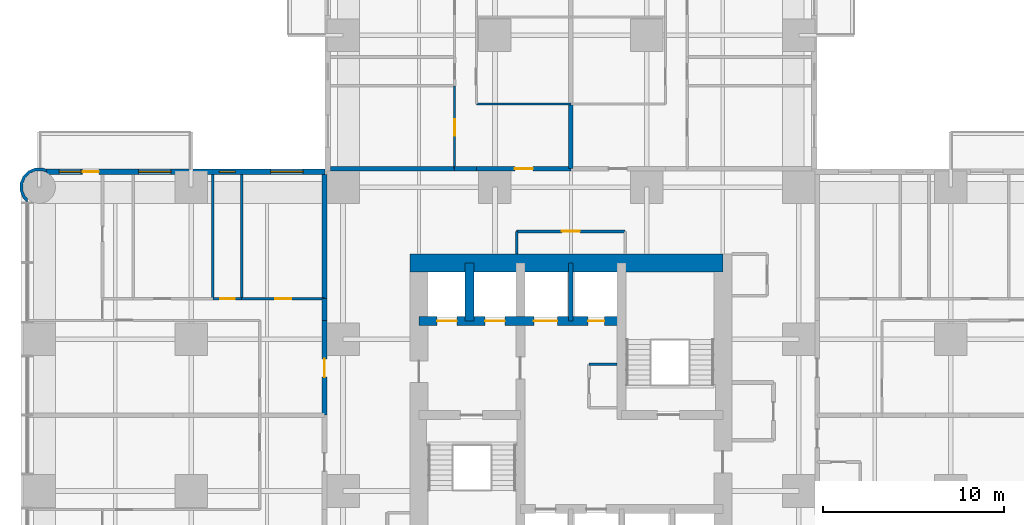
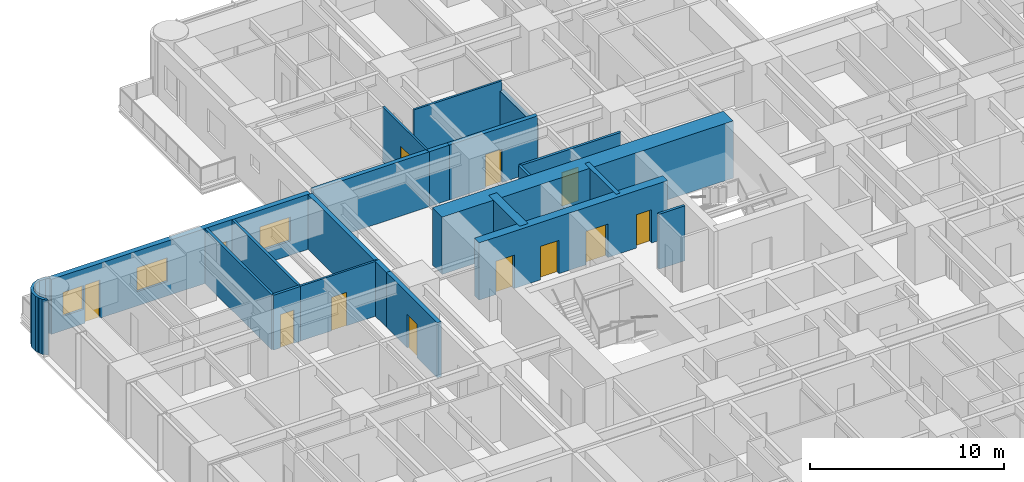
# One storey, part 12 of 17: 22 walls, 11 doors, 4 windows, 15 openings.
"""IFC4 building model written with IfcOpenShell, lengths in metres."""

from ifc_helpers import new_model, si_unit, direction, frame, frame_2d, origin, place, context, subcontext, project, spatial, polyline, rectangle, outline, extrude, material, layer, layer_set, type_object, element, fill, save


model = new_model("IFC4")

# Units and contexts
model_context = context("Model", 3, precision=1e-05, world=origin(), true_north=direction((0.0, 1.0)))
body_context = subcontext(model_context, "Body", "Model", "MODEL_VIEW")
ifc_project = project(units=[si_unit("LENGTHUNIT", "METRE"), si_unit("AREAUNIT", "SQUARE_METRE"), si_unit("VOLUMEUNIT", "CUBIC_METRE"), si_unit("PLANEANGLEUNIT", "RADIAN"), si_unit("MASSUNIT", "GRAM", prefix="KILO")], contexts=[model_context])

# Site, building, storey
site_placement = place(None, origin())
site = spatial("IfcSite", under=ifc_project, at=site_placement, CompositionType="ELEMENT")
building_placement = place(site_placement, origin())
building = spatial("IfcBuilding", under=site, at=building_placement, Name="Torre Alcanfor", CompositionType="ELEMENT")
storey_placement = place(building_placement, frame((0.0, 0.0, 52.5)))
storey = spatial("IfcBuildingStorey", under=building, at=storey_placement, Name="L12", CompositionType="ELEMENT", Elevation=52.5)

# Wall, opening, door
ifc_material_1 = material(Name="Concrete block masonry, hollow blocks NMX-C-404 9 MPa", Category="masonry")
ifc_layer_1 = layer(ifc_material_1, 0.25)
ifc_layer_set_1 = layer_set([ifc_layer_1], Name="Apartment entrance wall 250 EI 60")
wall_type_1 = type_object("IfcWallType", Name="Apartment entrance wall 250 EI 60", PredefinedType="PARTITIONING", material=ifc_layer_set_1)
wall_1_placement = place(storey_placement, frame((24.1708984375, 43.02490234375, 0.0), z_axis=(0.0, 0.0, 1.0), x_axis=(1.0, 0.0, 0.0)))
wall_1 = element("IfcWall", 1, at=wall_1_placement, inside=storey, type_object=wall_type_1, Name="Partition L12-CORR / L12-N1-ZAG", PredefinedType="PARTITIONING", context=body_context, shape_type="SweptSolid", body=[
    extrude(rectangle(XDim=5.22900390625, YDim=0.25, at=frame_2d((2.614501953125, 0.0))), origin(), (0.0, 0.0, 1.0), 3.449951171875),
])
opening_1_placement = place(wall_1_placement, frame((2.12890625, 0.0, 0.0)))
opening_1 = element("IfcOpeningElement", 2, at=opening_1_placement, cuts=wall_1, Name="Opening D-A1", PredefinedType="OPENING", context=body_context, shape_type="SweptSolid", body=[
    extrude(rectangle(XDim=1.0, YDim=2.10009765625, at=frame_2d((0.5, 1.050048828125))), frame((0.0, 0.135009765625, 0.0), z_axis=(0.0, -1.0, 0.0), x_axis=(1.0, 0.0, 0.0)), (0.0, 0.0, 1.0), 0.27001953125),
])
ifc_material_2 = material(Name="Galvanised steel sheet ASTM A653", Category="steel")
door_type_1 = type_object("IfcDoorType", Name="Apartment entrance door FD60 1000x2100", OperationType="SINGLE_SWING_LEFT", PredefinedType="DOOR", material=ifc_material_2)
door_1_placement = place(opening_1_placement, origin())
door_1 = element("IfcDoor", 3, at=door_1_placement, inside=storey, type_object=door_type_1, Name="Apartment entrance L12-N1", OperationType="SINGLE_SWING_RIGHT", OverallHeight=2.10009765625, OverallWidth=1.0, PredefinedType="DOOR", context=body_context, shape_type="SweptSolid", body=[
    extrude(rectangle(XDim=1.0, YDim=2.10009765625, at=frame_2d((0.5, 1.050048828125))), frame((0.0, 0.02490234375, 0.0), z_axis=(0.0, -1.0, 0.0), x_axis=(1.0, 0.0, 0.0)), (0.0, 0.0, 1.0), 0.050048828125),
])
fill(opening_1, door_1)

# Walls
wall_2_placement = place(storey_placement, frame((22.970947265625, 43.02490234375, 0.0), z_axis=(0.0, 0.0, 1.0), x_axis=(1.0, 0.0, 0.0)))
element("IfcWall", 4, at=wall_2_placement, inside=storey, type_object=wall_type_1, Name="Partition L12-CORR / L12-N1-HALL", PredefinedType="PARTITIONING", context=body_context, shape_type="SweptSolid", body=[
    extrude(rectangle(XDim=1.199951171875, YDim=0.25, at=frame_2d((0.60009765625, 0.0))), origin(), (0.0, 0.0, 1.0), 3.449951171875),
])
wall_3_placement = place(storey_placement, frame((16.10009765625, 43.02490234375, 0.0), z_axis=(0.0, 0.0, 1.0), x_axis=(1.0, 0.0, 0.0)))
element("IfcWall", 5, at=wall_3_placement, inside=storey, type_object=wall_type_1, Name="Partition L12-CORR / L12-N1-BED2", PredefinedType="PARTITIONING", context=body_context, shape_type="SweptSolid", body=[
    extrude(rectangle(XDim=6.870849609375, YDim=0.25, at=frame_2d((3.435546875, 0.0))), origin(), (0.0, 0.0, 1.0), 3.449951171875),
])

# Wall, opening, door
wall_4_placement = place(storey_placement, frame((15.77490234375, 29.39990234375, 0.0), z_axis=(0.0, 0.0, 1.0), x_axis=(0.0, 1.0, 0.0)))
wall_4 = element("IfcWall", 6, at=wall_4_placement, inside=storey, type_object=wall_type_1, Name="Partition L12-CORR / L12-W2-ZAG", PredefinedType="PARTITIONING", context=body_context, shape_type="SweptSolid", body=[
    extrude(rectangle(XDim=5.22900390625, YDim=0.25, at=frame_2d((2.614501953125, 0.0))), origin(), (0.0, 0.0, 1.0), 3.449951171875),
])
opening_2_placement = place(wall_4_placement, frame((2.10009765625, 0.0, 0.0)))
opening_2 = element("IfcOpeningElement", 7, at=opening_2_placement, cuts=wall_4, Name="Opening D-A1", PredefinedType="OPENING", context=body_context, shape_type="SweptSolid", body=[
    extrude(rectangle(XDim=1.0, YDim=2.10009765625, at=frame_2d((0.5, 1.050048828125))), frame((0.0, 0.135009765625, 0.0), z_axis=(0.0, -1.0, 0.0), x_axis=(1.0, 0.0, 0.0)), (0.0, 0.0, 1.0), 0.27001953125),
])
door_2_placement = place(opening_2_placement, origin())
door_2 = element("IfcDoor", 8, at=door_2_placement, inside=storey, type_object=door_type_1, Name="Apartment entrance L12-W2", OperationType="SINGLE_SWING_LEFT", OverallHeight=2.10009765625, OverallWidth=1.0, PredefinedType="DOOR", context=body_context, shape_type="SweptSolid", body=[
    extrude(rectangle(XDim=1.0, YDim=2.10009765625, at=frame_2d((0.5, 1.050048828125))), frame((0.0, 0.02490234375, 0.0), z_axis=(0.0, -1.0, 0.0), x_axis=(1.0, 0.0, 0.0)), (0.0, 0.0, 1.0), 0.050048828125),
])
fill(opening_2, door_2)

# Walls
wall_5_placement = place(storey_placement, frame((15.77490234375, 34.62890625, 0.0), z_axis=(0.0, 0.0, 1.0), x_axis=(0.0, 1.0, 0.0)))
element("IfcWall", 9, at=wall_5_placement, inside=storey, type_object=wall_type_1, Name="Partition L12-CORR / L12-W2-HALL", PredefinedType="PARTITIONING", context=body_context, shape_type="SweptSolid", body=[
    extrude(rectangle(XDim=1.2001953125, YDim=0.25, at=frame_2d((0.60009765625, 0.0))), origin(), (0.0, 0.0, 1.0), 3.449951171875),
])
wall_6_placement = place(storey_placement, frame((15.77490234375, 35.8291015625, 0.0), z_axis=(0.0, 0.0, 1.0), x_axis=(0.0, 1.0, 0.0)))
element("IfcWall", 10, at=wall_6_placement, inside=storey, type_object=wall_type_1, Name="Partition L12-CORR / L12-W2-BED3", PredefinedType="PARTITIONING", context=body_context, shape_type="SweptSolid", body=[
    extrude(rectangle(XDim=6.870849609375, YDim=0.25, at=frame_2d((3.435546875, 0.0))), origin(), (0.0, 0.0, 1.0), 3.449951171875),
])
ifc_material_3 = material(Name="Gypsum board on steel studs", Category="steel")
ifc_layer_2 = layer(ifc_material_3, 0.1201171875)
ifc_layer_set_2 = layer_set([ifc_layer_2], Name="Apartment partition 120")
wall_type_2 = type_object("IfcWallType", Name="Apartment partition 120", PredefinedType="PARTITIONING", material=ifc_layer_set_2)
wall_7_placement = place(storey_placement, frame((29.39990234375, 46.60009765625, 0.0), z_axis=(0.0, 0.0, 1.0), x_axis=(-1.0, 0.0, 0.0)))
element("IfcWall", 11, at=wall_7_placement, inside=storey, type_object=wall_type_2, Name="Partition L12-N1-ZAG / L12-N1-FAMILY", PredefinedType="PARTITIONING", context=body_context, shape_type="SweptSolid", body=[
    extrude(rectangle(XDim=5.22900390625, YDim=0.1201171875, at=frame_2d((2.614501953125, 0.0))), origin(), (0.0, 0.0, 1.0), 3.449951171875),
])

# Wall, opening, door
wall_8_placement = place(storey_placement, frame((22.970947265625, 47.60009765625, 0.0), z_axis=(0.0, 0.0, 1.0), x_axis=(0.0, -1.0, 0.0)))
wall_8 = element("IfcWall", 12, at=wall_8_placement, inside=storey, type_object=wall_type_2, Name="Partition L12-N1-HALL / L12-N1-BED2", PredefinedType="PARTITIONING", context=body_context, shape_type="SweptSolid", body=[
    extrude(rectangle(XDim=4.5751953125, YDim=0.1201171875, at=frame_2d((2.28759765625, 0.0))), origin(), (0.0, 0.0, 1.0), 3.449951171875),
])
opening_3_placement = place(wall_8_placement, frame((1.85009765625, 0.0, 0.0)))
opening_3 = element("IfcOpeningElement", 13, at=opening_3_placement, cuts=wall_8, Name="Opening D-R1", PredefinedType="OPENING", context=body_context, shape_type="SweptSolid", body=[
    extrude(rectangle(XDim=0.89990234375, YDim=2.10009765625, at=frame_2d((0.449951171875, 1.050048828125))), frame((0.0, 0.070068359375, 0.0), z_axis=(0.0, -1.0, 0.0), x_axis=(1.0, 0.0, 0.0)), (0.0, 0.0, 1.0), 0.14013671875),
])
ifc_material_4 = material(Name="Timber", Category="wood")
door_type_2 = type_object("IfcDoorType", Name="Internal door 900x2100", OperationType="SINGLE_SWING_LEFT", PredefinedType="DOOR", material=ifc_material_4)
door_3_placement = place(opening_3_placement, frame((0.89990234375, 0.0, 0.0), z_axis=(0.0, 0.0, 1.0), x_axis=(-1.0, 0.0, 0.0)))
door_3 = element("IfcDoor", 14, at=door_3_placement, inside=storey, type_object=door_type_2, Name="Door L12-N1 bed2", OperationType="SINGLE_SWING_LEFT", OverallHeight=2.10009765625, OverallWidth=0.89990234375, PredefinedType="DOOR", context=body_context, shape_type="SweptSolid", body=[
    extrude(rectangle(XDim=0.89990234375, YDim=2.10009765625, at=frame_2d((0.449951171875, 1.050048828125))), frame((0.0, 0.025146484375, 0.0), z_axis=(0.0, -1.0, 0.0), x_axis=(1.0, 0.0, 0.0)), (0.0, 0.0, 1.0), 0.050048828125),
])
fill(opening_3, door_3)

wall_9_placement = place(storey_placement, frame((11.199951171875, 35.8291015625, 0.0), z_axis=(0.0, 0.0, 1.0), x_axis=(1.0, 0.0, 0.0)))
wall_9 = element("IfcWall", 15, at=wall_9_placement, inside=storey, type_object=wall_type_2, Name="Partition L12-W2-HALL / L12-W2-BED3", PredefinedType="PARTITIONING", context=body_context, shape_type="SweptSolid", body=[
    extrude(rectangle(XDim=4.574951171875, YDim=0.1201171875, at=frame_2d((2.28759765625, 0.0))), origin(), (0.0, 0.0, 1.0), 3.449951171875),
])
opening_4_placement = place(wall_9_placement, frame((1.85009765625, 0.0, 0.0)))
opening_4 = element("IfcOpeningElement", 16, at=opening_4_placement, cuts=wall_9, Name="Opening D-R1", PredefinedType="OPENING", context=body_context, shape_type="SweptSolid", body=[
    extrude(rectangle(XDim=0.89990234375, YDim=2.10009765625, at=frame_2d((0.449951171875, 1.050048828125))), frame((0.0, 0.070068359375, 0.0), z_axis=(0.0, -1.0, 0.0), x_axis=(1.0, 0.0, 0.0)), (0.0, 0.0, 1.0), 0.14013671875),
])
door_4_placement = place(opening_4_placement, origin())
door_4 = element("IfcDoor", 17, at=door_4_placement, inside=storey, type_object=door_type_2, Name="Door L12-W2 bed3", OperationType="SINGLE_SWING_RIGHT", OverallHeight=2.10009765625, OverallWidth=0.89990234375, PredefinedType="DOOR", context=body_context, shape_type="SweptSolid", body=[
    extrude(rectangle(XDim=0.89990234375, YDim=2.10009765625, at=frame_2d((0.449951171875, 1.050048828125))), frame((0.0, 0.02490234375, 0.0), z_axis=(0.0, -1.0, 0.0), x_axis=(1.0, 0.0, 0.0)), (0.0, 0.0, 1.0), 0.050048828125),
])
fill(opening_4, door_4)

# Wall, openings, doors
ifc_material_5 = material(Name="Concrete f'c 70 MPa", Category="concrete")
ifc_layer_3 = layer(ifc_material_5, 0.5)
ifc_layer_set_3 = layer_set([ifc_layer_3], Name="Core inner wall 500 f'c70")
wall_type_3 = type_object("IfcWallType", Name="Core inner wall 500 f'c70", PredefinedType="SHEAR", material=ifc_layer_set_3)
wall_10_placement = place(storey_placement, frame((21.0, 34.60009765625, 0.0), z_axis=(0.0, 0.0, 1.0), x_axis=(1.0, 0.0, 0.0)))
wall_10 = element("IfcWall", 18, at=wall_10_placement, inside=storey, type_object=wall_type_3, Name="Core wall Y346 L12", PredefinedType="SHEAR", context=body_context, shape_type="SweptSolid", body=[
    extrude(rectangle(XDim=11.199951171875, YDim=0.5, at=frame_2d((5.60009765625, 0.0))), origin(), (0.0, 0.0, 1.0), 3.60009765625),
])
opening_5_placement = place(wall_10_placement, frame((9.35009765625, 0.0, 0.0)))
opening_5 = element("IfcOpeningElement", 19, at=opening_5_placement, cuts=wall_10, Name="Opening D-Q1", PredefinedType="OPENING", context=body_context, shape_type="SweptSolid", body=[
    extrude(rectangle(XDim=0.89990234375, YDim=2.10009765625, at=frame_2d((0.449951171875, 1.050048828125))), frame((0.0, 0.260009765625, 0.0), z_axis=(0.0, -1.0, 0.0), x_axis=(1.0, 0.0, 0.0)), (0.0, 0.0, 1.0), 0.52001953125),
])
opening_6_placement = place(wall_10_placement, frame((1.0, 0.0, 0.0)))
opening_6 = element("IfcOpeningElement", 20, at=opening_6_placement, cuts=wall_10, Name="Opening LD2", PredefinedType="OPENING", context=body_context, shape_type="SweptSolid", body=[
    extrude(rectangle(XDim=1.10009765625, YDim=2.10009765625, at=frame_2d((0.550048828125, 1.050048828125))), frame((0.0, 0.260009765625, 0.0), z_axis=(0.0, -1.0, 0.0), x_axis=(1.0, 0.0, 0.0)), (0.0, 0.0, 1.0), 0.52001953125),
])
opening_7_placement = place(wall_10_placement, frame((3.64990234375, 0.0, 0.0)))
opening_7 = element("IfcOpeningElement", 21, at=opening_7_placement, cuts=wall_10, Name="Opening LD2", PredefinedType="OPENING", context=body_context, shape_type="SweptSolid", body=[
    extrude(rectangle(XDim=1.10009765625, YDim=2.10009765625, at=frame_2d((0.550048828125, 1.050048828125))), frame((0.0, 0.260009765625, 0.0), z_axis=(0.0, -1.0, 0.0), x_axis=(1.0, 0.0, 0.0)), (0.0, 0.0, 1.0), 0.52001953125),
])
opening_8_placement = place(wall_10_placement, frame((6.35009765625, 0.0, 0.0)))
opening_8 = element("IfcOpeningElement", 22, at=opening_8_placement, cuts=wall_10, Name="Opening LD3", PredefinedType="OPENING", context=body_context, shape_type="SweptSolid", body=[
    extrude(rectangle(XDim=1.300048828125, YDim=2.10009765625, at=frame_2d((0.64990234375, 1.050048828125))), frame((0.0, 0.260009765625, 0.0), z_axis=(0.0, -1.0, 0.0), x_axis=(1.0, 0.0, 0.0)), (0.0, 0.0, 1.0), 0.52001953125),
])
ifc_material_6 = material(Name="Galvanised steel sheet ASTM A653", Category="steel")
door_type_3 = type_object("IfcDoorType", Name="Firefighting lift landing door 1100x2100", OperationType="DOUBLE_DOOR_SLIDING", PredefinedType="DOOR", material=ifc_material_6)
door_5_placement = place(opening_6_placement, origin())
door_5 = element("IfcDoor", 23, at=door_5_placement, inside=storey, type_object=door_type_3, Name="Lift landing door FL1 L12", OperationType="DOUBLE_DOOR_SLIDING", OverallHeight=2.10009765625, OverallWidth=1.10009765625, PredefinedType="DOOR", context=body_context, shape_type="SweptSolid", body=[
    extrude(rectangle(XDim=1.10009765625, YDim=2.10009765625, at=frame_2d((0.550048828125, 1.050048828125))), frame((0.0, 0.02490234375, 0.0), z_axis=(0.0, -1.0, 0.0), x_axis=(1.0, 0.0, 0.0)), (0.0, 0.0, 1.0), 0.050048828125),
])
fill(opening_6, door_5)
door_6_placement = place(opening_7_placement, origin())
door_6 = element("IfcDoor", 24, at=door_6_placement, inside=storey, type_object=door_type_3, Name="Lift landing door FL2 L12", OperationType="DOUBLE_DOOR_SLIDING", OverallHeight=2.10009765625, OverallWidth=1.10009765625, PredefinedType="DOOR", context=body_context, shape_type="SweptSolid", body=[
    extrude(rectangle(XDim=1.10009765625, YDim=2.10009765625, at=frame_2d((0.550048828125, 1.050048828125))), frame((0.0, 0.02490234375, 0.0), z_axis=(0.0, -1.0, 0.0), x_axis=(1.0, 0.0, 0.0)), (0.0, 0.0, 1.0), 0.050048828125),
])
fill(opening_7, door_6)
ifc_material_7 = material(Name="Galvanised steel sheet ASTM A653", Category="steel")
door_type_4 = type_object("IfcDoorType", Name="Riser access door FD120 900x2100", OperationType="SINGLE_SWING_LEFT", PredefinedType="DOOR", material=ifc_material_7)
door_7_placement = place(opening_5_placement, origin())
door_7 = element("IfcDoor", 25, at=door_7_placement, inside=storey, type_object=door_type_4, Name="Riser door L12", OperationType="SINGLE_SWING_LEFT", OverallHeight=2.10009765625, OverallWidth=0.89990234375, PredefinedType="DOOR", context=body_context, shape_type="SweptSolid", body=[
    extrude(rectangle(XDim=0.89990234375, YDim=2.10009765625, at=frame_2d((0.449951171875, 1.050048828125))), frame((0.0, 0.02490234375, 0.0), z_axis=(0.0, -1.0, 0.0), x_axis=(1.0, 0.0, 0.0)), (0.0, 0.0, 1.0), 0.050048828125),
])
fill(opening_5, door_7)
ifc_material_8 = material(Name="Galvanised steel sheet ASTM A653", Category="steel")
door_type_5 = type_object("IfcDoorType", Name="Service lift landing door 1300x2100", OperationType="DOUBLE_DOOR_SLIDING", PredefinedType="DOOR", material=ifc_material_8)
door_8_placement = place(opening_8_placement, origin())
door_8 = element("IfcDoor", 26, at=door_8_placement, inside=storey, type_object=door_type_5, Name="Lift landing door SL1 L12", OperationType="DOUBLE_DOOR_SLIDING", OverallHeight=2.10009765625, OverallWidth=1.300048828125, PredefinedType="DOOR", context=body_context, shape_type="SweptSolid", body=[
    extrude(rectangle(XDim=1.300048828125, YDim=2.10009765625, at=frame_2d((0.64990234375, 1.050048828125))), frame((0.0, 0.02490234375, 0.0), z_axis=(0.0, -1.0, 0.0), x_axis=(1.0, 0.0, 0.0)), (0.0, 0.0, 1.0), 0.050048828125),
])
fill(opening_8, door_8)

# Walls
wall_11_placement = place(storey_placement, frame((23.800048828125, 34.60009765625, 0.0), z_axis=(0.0, 0.0, 1.0), x_axis=(0.0, 1.0, 0.0)))
element("IfcWall", 27, at=wall_11_placement, inside=storey, type_object=wall_type_3, Name="Core wall X238 L12", PredefinedType="SHEAR", context=body_context, shape_type="SweptSolid", body=[
    extrude(rectangle(XDim=3.199951171875, YDim=0.5, at=frame_2d((1.60009765625, 0.0))), origin(), (0.0, 0.0, 1.0), 3.60009765625),
])
ifc_material_9 = material(Name="Concrete f'c 70 MPa", Category="concrete")
ifc_layer_4 = layer(ifc_material_9, 0.25)
ifc_layer_set_4 = layer_set([ifc_layer_4], Name="Core shaft wall 250 f'c70")
wall_type_4 = type_object("IfcWallType", Name="Core shaft wall 250 f'c70", PredefinedType="SHEAR", material=ifc_layer_set_4)
wall_12_placement = place(storey_placement, frame((29.39990234375, 34.60009765625, 0.0), z_axis=(0.0, 0.0, 1.0), x_axis=(0.0, 1.0, 0.0)))
element("IfcWall", 28, at=wall_12_placement, inside=storey, type_object=wall_type_4, Name="Core wall X294N L12", PredefinedType="SHEAR", context=body_context, shape_type="SweptSolid", body=[
    extrude(rectangle(XDim=3.199951171875, YDim=0.25, at=frame_2d((1.60009765625, 0.0))), origin(), (0.0, 0.0, 1.0), 3.60009765625),
])
ifc_material_10 = material(Name="Concrete f'c 70 MPa", Category="concrete")
ifc_layer_5 = layer(ifc_material_10, 1.0)
ifc_layer_set_5 = layer_set([ifc_layer_5], Name="Core wall 1000 f'c70")
wall_type_5 = type_object("IfcWallType", Name="Core wall 1000 f'c70", PredefinedType="SHEAR", material=ifc_layer_set_5)
wall_13_placement = place(storey_placement, frame((37.800048828125, 37.800048828125, 0.0), z_axis=(0.0, 0.0, 1.0), x_axis=(-1.0, 0.0, 0.0)))
element("IfcWall", 29, at=wall_13_placement, inside=storey, type_object=wall_type_5, Name="Core wall OUT-N L12", PredefinedType="SHEAR", context=body_context, shape_type="SweptSolid", body=[
    extrude(rectangle(XDim=17.300048828125, YDim=1.0, at=frame_2d((8.64990234375, 0.0))), origin(), (0.0, 0.0, 1.0), 3.60009765625),
])

# Wall, openings, door, windows
ifc_material_11 = material(Name="Limestone cladding", Category="masonry")
ifc_layer_6 = layer(ifc_material_11, 0.0400390625, Name="Facing")
ifc_material_12 = material(Name="Ventilated air cavity")
ifc_layer_7 = layer(ifc_material_12, 0.02001953125, ventilated=True, Name="Ventilated joint")
ifc_material_13 = material(Name="Mineral wool insulation", Category="insulation")
ifc_layer_8 = layer(ifc_material_13, 0.10009765625, Name="Insulation")
ifc_material_14 = material(Name="Concrete f'c 35 MPa", Category="concrete")
ifc_layer_9 = layer(ifc_material_14, 0.139892578125, Name="Backing")
ifc_layer_set_6 = layer_set([ifc_layer_6, ifc_layer_7, ifc_layer_8, ifc_layer_9], Name="External wall stone-clad 300")
wall_type_6 = type_object("IfcWallType", Name="External wall stone-clad 300", PredefinedType="SOLIDWALL", material=ifc_layer_set_6)
wall_14_placement = place(storey_placement, frame((15.800048828125, 42.85009765625, 0.0), z_axis=(0.0, 0.0, 1.0), x_axis=(-1.0, 0.0, 0.0)))
wall_14 = element("IfcWall", 30, at=wall_14_placement, inside=storey, type_object=wall_type_6, Name="External wall L12 1", PredefinedType="SOLIDWALL", context=body_context, shape_type="SweptSolid", body=[
    extrude(rectangle(XDim=15.400146484375, YDim=0.300048828125, at=frame_2d((7.7001953125, 0.0))), origin(), (0.0, 0.0, 1.0), 3.449951171875),
])
opening_9_placement = place(wall_14_placement, frame((1.199951171875, 0.0, 0.89990234375)))
opening_9 = element("IfcOpeningElement", 31, at=opening_9_placement, cuts=wall_14, Name="Opening W2", PredefinedType="OPENING", context=body_context, shape_type="SweptSolid", body=[
    extrude(rectangle(XDim=1.800048828125, YDim=1.5, at=frame_2d((0.89990234375, 0.75))), frame((0.0, 0.159912109375, 0.0), z_axis=(0.0, -1.0, 0.0), x_axis=(1.0, 0.0, 0.0)), (0.0, 0.0, 1.0), 0.320068359375),
])
opening_10_placement = place(wall_14_placement, frame((4.949951171875, 0.0, 1.5)))
opening_10 = element("IfcOpeningElement", 32, at=opening_10_placement, cuts=wall_14, Name="Opening W3", PredefinedType="OPENING", context=body_context, shape_type="SweptSolid", body=[
    extrude(rectangle(XDim=0.89990234375, YDim=0.699951171875, at=frame_2d((0.449951171875, 0.35009765625))), frame((0.0, 0.159912109375, 0.0), z_axis=(0.0, -1.0, 0.0), x_axis=(1.0, 0.0, 0.0)), (0.0, 0.0, 1.0), 0.320068359375),
])
opening_11_placement = place(wall_14_placement, frame((8.5, 0.0, 0.89990234375)))
opening_11 = element("IfcOpeningElement", 33, at=opening_11_placement, cuts=wall_14, Name="Opening W2", PredefinedType="OPENING", context=body_context, shape_type="SweptSolid", body=[
    extrude(rectangle(XDim=1.800048828125, YDim=1.5, at=frame_2d((0.89990234375, 0.75))), frame((0.0, 0.159912109375, 0.0), z_axis=(0.0, -1.0, 0.0), x_axis=(1.0, 0.0, 0.0)), (0.0, 0.0, 1.0), 0.320068359375),
])
opening_12_placement = place(wall_14_placement, frame((12.5, 0.0, 0.0)))
opening_12 = element("IfcOpeningElement", 34, at=opening_12_placement, cuts=wall_14, Name="Opening D-B1", PredefinedType="OPENING", context=body_context, shape_type="SweptSolid", body=[
    extrude(rectangle(XDim=0.89990234375, YDim=2.39990234375, at=frame_2d((0.449951171875, 1.199951171875))), frame((0.0, 0.159912109375, 0.0), z_axis=(0.0, -1.0, 0.0), x_axis=(1.0, 0.0, 0.0)), (0.0, 0.0, 1.0), 0.320068359375),
])
opening_13_placement = place(wall_14_placement, frame((13.5, 0.0, 0.89990234375)))
opening_13 = element("IfcOpeningElement", 35, at=opening_13_placement, cuts=wall_14, Name="Opening W4", PredefinedType="OPENING", context=body_context, shape_type="SweptSolid", body=[
    extrude(rectangle(XDim=1.199951171875, YDim=1.5, at=frame_2d((0.60009765625, 0.75))), frame((0.0, 0.159912109375, 0.0), z_axis=(0.0, -1.0, 0.0), x_axis=(1.0, 0.0, 0.0)), (0.0, 0.0, 1.0), 0.320068359375),
])
ifc_material_15 = material(Name="Aluminium and glass", Category="aluminium")
door_type_6 = type_object("IfcDoorType", Name="Balcony door glazed 900x2400", OperationType="SINGLE_SWING_LEFT", PredefinedType="DOOR", material=ifc_material_15)
door_9_placement = place(opening_12_placement, origin())
door_9 = element("IfcDoor", 36, at=door_9_placement, inside=storey, type_object=door_type_6, Name="Balcony door L12-W2", OperationType="SINGLE_SWING_LEFT", OverallHeight=2.39990234375, OverallWidth=0.89990234375, PredefinedType="DOOR", context=body_context, shape_type="SweptSolid", body=[
    extrude(rectangle(XDim=0.89990234375, YDim=2.39990234375, at=frame_2d((0.449951171875, 1.199951171875))), frame((0.0, 0.02490234375, 0.0), z_axis=(0.0, -1.0, 0.0), x_axis=(1.0, 0.0, 0.0)), (0.0, 0.0, 1.0), 0.050048828125),
])
fill(opening_12, door_9)
ifc_material_16 = material(Name="Aluminium frame with clear double glazing", Category="aluminium")
window_type_1 = type_object("IfcWindowType", Name="Window bathroom 900x700", PartitioningType="SINGLE_PANEL", PredefinedType="WINDOW", material=ifc_material_16)
window_1_placement = place(opening_10_placement, origin())
window_1 = element("IfcWindow", 37, at=window_1_placement, inside=storey, type_object=window_type_1, Name="Window W3 L12-W2", OverallHeight=0.699951171875, OverallWidth=0.89990234375, PartitioningType="SINGLE_PANEL", PredefinedType="WINDOW", context=body_context, shape_type="SweptSolid", body=[
    extrude(rectangle(XDim=0.89990234375, YDim=0.699951171875, at=frame_2d((0.449951171875, 0.35009765625))), frame((0.0, 0.030029296875, 0.0), z_axis=(0.0, -1.0, 0.0), x_axis=(1.0, 0.0, 0.0)), (0.0, 0.0, 1.0), 0.06005859375),
])
fill(opening_10, window_1)
ifc_material_17 = material(Name="Aluminium frame with clear double glazing", Category="aluminium")
window_type_2 = type_object("IfcWindowType", Name="Window bedroom 1200x1500", PartitioningType="SINGLE_PANEL", PredefinedType="WINDOW", material=ifc_material_17)
window_2_placement = place(opening_13_placement, origin())
window_2 = element("IfcWindow", 38, at=window_2_placement, inside=storey, type_object=window_type_2, Name="Window W4 L12-W2", OverallHeight=1.5, OverallWidth=1.199951171875, PartitioningType="SINGLE_PANEL", PredefinedType="WINDOW", context=body_context, shape_type="SweptSolid", body=[
    extrude(rectangle(XDim=1.199951171875, YDim=1.5, at=frame_2d((0.60009765625, 0.75))), frame((0.0, 0.030029296875, 0.0), z_axis=(0.0, -1.0, 0.0), x_axis=(1.0, 0.0, 0.0)), (0.0, 0.0, 1.0), 0.06005859375),
])
fill(opening_13, window_2)
ifc_material_18 = material(Name="Aluminium frame with clear double glazing", Category="aluminium")
window_type_3 = type_object("IfcWindowType", Name="Window bedroom 1800x1500", PartitioningType="SINGLE_PANEL", PredefinedType="WINDOW", material=ifc_material_18)
window_3_placement = place(opening_9_placement, origin())
window_3 = element("IfcWindow", 39, at=window_3_placement, inside=storey, type_object=window_type_3, Name="Window W2 L12-W2", OverallHeight=1.5, OverallWidth=1.800048828125, PartitioningType="SINGLE_PANEL", PredefinedType="WINDOW", context=body_context, shape_type="SweptSolid", body=[
    extrude(rectangle(XDim=1.800048828125, YDim=1.5, at=frame_2d((0.89990234375, 0.75))), frame((0.0, 0.030029296875, 0.0), z_axis=(0.0, -1.0, 0.0), x_axis=(1.0, 0.0, 0.0)), (0.0, 0.0, 1.0), 0.06005859375),
])
fill(opening_9, window_3)
window_4_placement = place(opening_11_placement, origin())
window_4 = element("IfcWindow", 40, at=window_4_placement, inside=storey, type_object=window_type_3, Name="Window W2 L12-W2", OverallHeight=1.5, OverallWidth=1.800048828125, PartitioningType="SINGLE_PANEL", PredefinedType="WINDOW", context=body_context, shape_type="SweptSolid", body=[
    extrude(rectangle(XDim=1.800048828125, YDim=1.5, at=frame_2d((0.89990234375, 0.75))), frame((0.0, 0.030029296875, 0.0), z_axis=(0.0, -1.0, 0.0), x_axis=(1.0, 0.0, 0.0)), (0.0, 0.0, 1.0), 0.06005859375),
])
fill(opening_11, window_4)

# Wall
ifc_material_19 = material(Name="Concrete block masonry, hollow blocks NMX-C-404 9 MPa", Category="masonry")
ifc_layer_10 = layer(ifc_material_19, 0.25)
ifc_layer_set_7 = layer_set([ifc_layer_10], Name="Party wall 250 EI 60")
wall_type_7 = type_object("IfcWallType", Name="Party wall 250 EI 60", PredefinedType="PARTITIONING", material=ifc_layer_set_7)
wall_15_placement = place(storey_placement, frame((29.39990234375, 43.02490234375, 0.0), z_axis=(0.0, 0.0, 1.0), x_axis=(0.0, 1.0, 0.0)))
element("IfcWall", 41, at=wall_15_placement, inside=storey, type_object=wall_type_7, Name="Partition L12-N1-ZAG / L12-N2-ZAG", PredefinedType="PARTITIONING", context=body_context, shape_type="SweptSolid", body=[
    extrude(rectangle(XDim=3.5751953125, YDim=0.25, at=frame_2d((1.78759765625, 0.0))), origin(), (0.0, 0.0, 1.0), 2.847900390625),
])

# Wall, opening, door
ifc_material_20 = material(Name="Concrete block masonry, hollow blocks NMX-C-404 9 MPa", Category="masonry")
ifc_layer_11 = layer(ifc_material_20, 0.14990234375)
ifc_layer_set_8 = layer_set([ifc_layer_11], Name="Residents' room partition 150")
wall_type_8 = type_object("IfcWallType", Name="Residents' room partition 150", PredefinedType="PARTITIONING", material=ifc_layer_set_8)
wall_16_placement = place(storey_placement, frame((32.39990234375, 39.550048828125, 0.0), z_axis=(0.0, 0.0, 1.0), x_axis=(-1.0, 0.0, 0.0)))
wall_16 = element("IfcWall", 42, at=wall_16_placement, inside=storey, type_object=wall_type_8, Name="Partition L12-CORR / L12-G01", PredefinedType="PARTITIONING", context=body_context, shape_type="SweptSolid", body=[
    extrude(rectangle(XDim=6.0, YDim=0.14990234375, at=frame_2d((3.0, 0.0))), origin(), (0.0, 0.0, 1.0), 3.449951171875),
])
opening_14_placement = place(wall_16_placement, frame((2.5, 0.0, 0.0)))
opening_14 = element("IfcOpeningElement", 43, at=opening_14_placement, cuts=wall_16, Name="Opening D-M1", PredefinedType="OPENING", context=body_context, shape_type="SweptSolid", body=[
    extrude(rectangle(XDim=1.0, YDim=2.10009765625, at=frame_2d((0.5, 1.050048828125))), frame((0.0, 0.0849609375, 0.0), z_axis=(0.0, -1.0, 0.0), x_axis=(1.0, 0.0, 0.0)), (0.0, 0.0, 1.0), 0.169921875),
])
ifc_material_21 = material(Name="Timber", Category="wood")
door_type_7 = type_object("IfcDoorType", Name="Residents' room door 1000x2100", OperationType="SINGLE_SWING_LEFT", PredefinedType="DOOR", material=ifc_material_21)
door_10_placement = place(opening_14_placement, origin())
door_10 = element("IfcDoor", 44, at=door_10_placement, inside=storey, type_object=door_type_7, Name="Door L12-G01 bicycle store", OperationType="SINGLE_SWING_LEFT", OverallHeight=2.10009765625, OverallWidth=1.0, PredefinedType="DOOR", context=body_context, shape_type="SweptSolid", body=[
    extrude(rectangle(XDim=1.0, YDim=2.10009765625, at=frame_2d((0.5, 1.050048828125))), frame((0.0, 0.02490234375, 0.0), z_axis=(0.0, -1.0, 0.0), x_axis=(1.0, 0.0, 0.0)), (0.0, 0.0, 1.0), 0.050048828125),
])
fill(opening_14, door_10)

# Walls
wall_17_placement = place(storey_placement, frame((26.39990234375, 39.550048828125, 0.0), z_axis=(0.0, 0.0, 1.0), x_axis=(0.0, -1.0, 0.0)))
element("IfcWall", 45, at=wall_17_placement, inside=storey, type_object=wall_type_8, Name="Partition L12-CORR / L12-G01", PredefinedType="PARTITIONING", context=body_context, shape_type="SweptSolid", body=[
    extrude(rectangle(XDim=1.25, YDim=0.14990234375, at=frame_2d((0.625, 0.0))), origin(), (0.0, 0.0, 1.0), 3.449951171875),
])
wall_18_placement = place(storey_placement, frame((30.39990234375, 32.199951171875, 0.0), z_axis=(0.0, 0.0, 1.0), x_axis=(1.0, 0.0, 0.0)))
element("IfcWall", 46, at=wall_18_placement, inside=storey, type_object=wall_type_8, Name="Partition L12-LL / L12-CR1", PredefinedType="PARTITIONING", context=body_context, shape_type="SweptSolid", body=[
    extrude(rectangle(XDim=1.550048828125, YDim=0.14990234375, at=frame_2d((0.77490234375, 0.0))), origin(), (0.0, 0.0, 1.0), 3.449951171875),
])
ifc_layer_12 = layer(ifc_material_11, 0.0400390625, Name="Facing")
ifc_layer_13 = layer(ifc_material_12, 0.02001953125, ventilated=True, Name="Ventilated joint")
ifc_layer_14 = layer(ifc_material_13, 0.10009765625, Name="Insulation")
ifc_layer_15 = layer(ifc_material_14, 0.139892578125, Name="Backing")
ifc_layer_set_9 = layer_set([ifc_layer_12, ifc_layer_13, ifc_layer_14, ifc_layer_15], Name="Rounded corner pier stone-clad 300")
wall_type_9 = type_object("IfcWallType", Name="Rounded corner pier stone-clad 300", PredefinedType="SOLIDWALL", material=ifc_layer_set_9)
wall_19_placement = place(storey_placement, frame((0.363962863, 42.909907157, 0.0), z_axis=(0.0, 0.0, 1.0), x_axis=(-0.926129809145, 0.377204953059, 0.0)))
element("IfcWall", 47, at=wall_19_placement, inside=storey, type_object=wall_type_9, Name="Corner pier L12 13", PredefinedType="SOLIDWALL", context=body_context, shape_type="SweptSolid", body=[
    extrude(outline(polyline([(0.36027248147905344, 1.8032799323574271), (0.5087783723473315, 1.740921099842025), (0.7605913470133172, 1.4857584601095954), (0.8957810128069955, 1.1538349835897281), (0.8939031559639274, 0.7953461823991875), (0.7547957339381889, 0.4650577343600455), (0.4996330942057594, 0.21324475969405968), (0.1677096176858921, 0.07805509390038129), (-0.09992182078970525, 0.07950523369113624), (0.0006988421670046999, -0.09699421764222865), (0.0300177129428464, -0.08030783699434613), (0.19858532179107968, -0.08124570553990346), (0.5888441232034033, 0.0777034519259609), (0.8888369702307105, 0.374136779300854), (1.052603126025944, 0.7629734686109036), (1.0550818122472803, 1.1847106876949156), (0.8961326547814159, 1.5749694891072394), (0.7776866026168303, 1.6949130219751851), (0.7691400347446393, 1.7275471706587737), (0.7502646662372825, 1.7227591424871238), (0.599699327406523, 1.8749623361345464), (0.2945484394782597, 2.0034825844222954), (0.2809820848521072, 1.9979571212427172), (0.36027248147905344, 1.8032799323574271)])), origin(), (0.0, 0.0, 1.0), 3.449951171875),
])

# Wall, opening, door
ifc_material_22 = material(Name="Cement board on steel studs", Category="steel")
ifc_layer_16 = layer(ifc_material_22, 0.14990234375)
ifc_layer_set_10 = layer_set([ifc_layer_16], Name="Wet area partition 150")
wall_type_10 = type_object("IfcWallType", Name="Wet area partition 150", PredefinedType="PARTITIONING", material=ifc_layer_set_10)
wall_20_placement = place(storey_placement, frame((9.60009765625, 35.8291015625, 0.0), z_axis=(0.0, 0.0, 1.0), x_axis=(1.0, 0.0, 0.0)))
wall_20 = element("IfcWall", 48, at=wall_20_placement, inside=storey, type_object=wall_type_10, Name="Partition L12-W2-HALL / L12-W2-BATH1", PredefinedType="PARTITIONING", context=body_context, shape_type="SweptSolid", body=[
    extrude(rectangle(XDim=1.599853515625, YDim=0.14990234375, at=frame_2d((0.7998046875, 0.0))), origin(), (0.0, 0.0, 1.0), 3.449951171875),
])
opening_15_placement = place(wall_20_placement, frame((0.39990234375, 0.0, 0.0)))
opening_15 = element("IfcOpeningElement", 49, at=opening_15_placement, cuts=wall_20, Name="Opening D-R2", PredefinedType="OPENING", context=body_context, shape_type="SweptSolid", body=[
    extrude(rectangle(XDim=0.800048828125, YDim=2.10009765625, at=frame_2d((0.39990234375, 1.050048828125))), frame((0.0, 0.0849609375, 0.0), z_axis=(0.0, -1.0, 0.0), x_axis=(1.0, 0.0, 0.0)), (0.0, 0.0, 1.0), 0.169921875),
])
ifc_material_23 = material(Name="Timber", Category="wood")
door_type_8 = type_object("IfcDoorType", Name="Bathroom door 800x2100", OperationType="SINGLE_SWING_LEFT", PredefinedType="DOOR", material=ifc_material_23)
door_11_placement = place(opening_15_placement, origin())
door_11 = element("IfcDoor", 50, at=door_11_placement, inside=storey, type_object=door_type_8, Name="Door L12-W2 bath1", OperationType="SINGLE_SWING_LEFT", OverallHeight=2.10009765625, OverallWidth=0.800048828125, PredefinedType="DOOR", context=body_context, shape_type="SweptSolid", body=[
    extrude(rectangle(XDim=0.800048828125, YDim=2.10009765625, at=frame_2d((0.39990234375, 1.050048828125))), frame((0.0, 0.02490234375, 0.0), z_axis=(0.0, -1.0, 0.0), x_axis=(1.0, 0.0, 0.0)), (0.0, 0.0, 1.0), 0.050048828125),
])
fill(opening_15, door_11)

# Walls
for number, where, z_axis, x_axis, name in (
    (51, (11.199951171875, 35.8291015625, 0.0), (0.0, 0.0, 1.0), (0.0, 1.0, 0.0), "Partition L12-W2-BED3 / L12-W2-BATH1"),
    (52, (9.60009765625, 35.8291015625, 0.0), (0.0, 0.0, 1.0), (0.0, 1.0, 0.0), "Partition L12-W2-BATH1 / L12-W2-BED2"),
):
    element("IfcWall", number, at=place(storey_placement, frame(where, z_axis=z_axis, x_axis=x_axis)), inside=storey, type_object=wall_type_10, Name=name, PredefinedType="PARTITIONING", context=body_context, shape_type="SweptSolid", body=[
        extrude(rectangle(XDim=6.870849609375, YDim=0.14990234375, at=frame_2d((3.435546875, 0.0))), origin(), (0.0, 0.0, 1.0), 3.449951171875),
    ])

save(model, "model.ifc")
